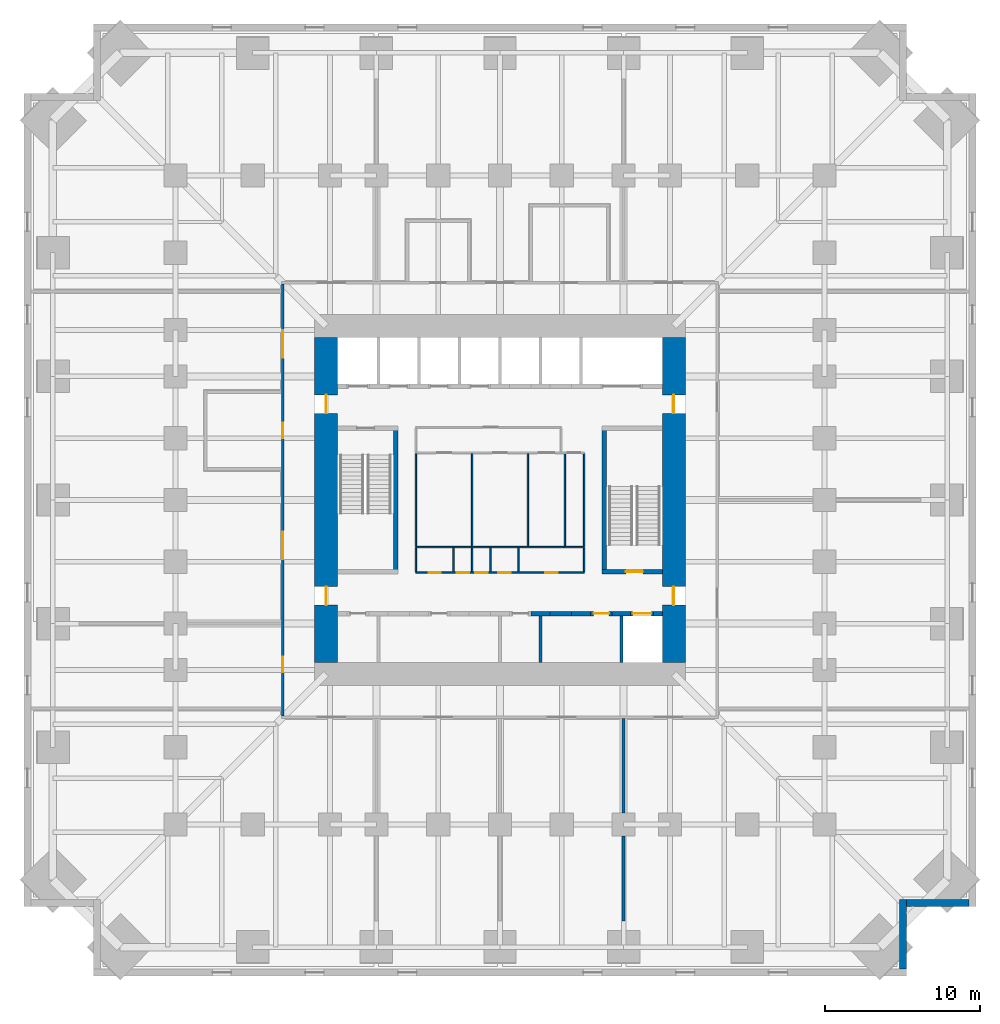
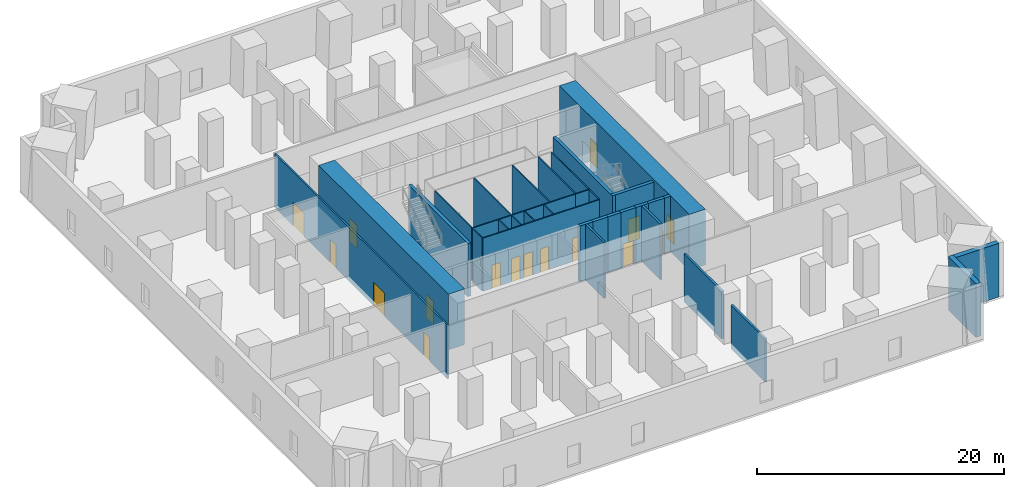
# One storey, part 4 of 8: 33 walls, 16 doors, 16 openings.
"""IFC4 building model written with IfcOpenShell, lengths in metres."""

from ifc_helpers import new_model, si_unit, direction, frame, frame_2d, origin, place, context, subcontext, project, spatial, rectangle, extrude, material, layer, layer_set, type_object, element, fill, save


model = new_model("IFC4")

# Units and contexts
model_context = context("Model", 3, precision=1e-05, world=origin(), true_north=direction((0.0, 1.0)))
body_context = subcontext(model_context, "Body", "Model", "MODEL_VIEW")
ifc_project = project(units=[si_unit("LENGTHUNIT", "METRE"), si_unit("AREAUNIT", "SQUARE_METRE"), si_unit("VOLUMEUNIT", "CUBIC_METRE"), si_unit("PLANEANGLEUNIT", "RADIAN"), si_unit("MASSUNIT", "GRAM", prefix="KILO")], contexts=[model_context])

# Site, building, storey
site_placement = place(None, origin())
site = spatial("IfcSite", under=ifc_project, at=site_placement, CompositionType="ELEMENT")
building_placement = place(site_placement, origin())
building = spatial("IfcBuilding", under=site, at=building_placement, Name="Peilmerk Tower", CompositionType="ELEMENT")
storey_placement = place(building_placement, frame((0.0, 0.0, 48.5)))
storey = spatial("IfcBuildingStorey", under=building, at=storey_placement, Name="L09", CompositionType="ELEMENT", Elevation=48.5)

# Walls
ifc_material_1 = material(Name="Precast concrete C45/55, board-marked finish", Category="concrete")
ifc_layer_1 = layer(ifc_material_1, 0.449951171875)
ifc_layer_set_1 = layer_set([ifc_layer_1], Name="Precast concrete C45/55, board-marked finish")
wall_type_1 = type_object("IfcWallType", Name="EW1 450 precast concrete facade wall, board-marked", PredefinedType="SOLIDWALL", material=ifc_layer_set_1)
wall_1_placement = place(storey_placement, frame((26.074951171875, -25.85009765625, 0.0), z_axis=(0.0, 0.0, 1.0), x_axis=(0.0, -1.0, 0.0)))
element("IfcWall", 1, at=wall_1_placement, inside=storey, type_object=wall_type_1, Name="Facade wall SEA L09", PredefinedType="SOLIDWALL", context=body_context, shape_type="SweptSolid", body=[
    extrude(rectangle(XDim=4.5, YDim=0.449951171875, at=frame_2d((2.25, 0.0))), origin(), (0.0, 0.0, 1.0), 5.300048828125),
])
wall_2_placement = place(storey_placement, frame((26.300048828125, -26.074951171875, 0.0), z_axis=(0.0, 0.0, 1.0), x_axis=(1.0, 0.0, 0.0)))
element("IfcWall", 2, at=wall_2_placement, inside=storey, type_object=wall_type_1, Name="Facade wall SEB L09", PredefinedType="SOLIDWALL", context=body_context, shape_type="SweptSolid", body=[
    extrude(rectangle(XDim=4.050048828125, YDim=0.449951171875, at=frame_2d((2.02490234375, 0.0))), origin(), (0.0, 0.0, 1.0), 5.300048828125),
])

# Wall, openings, doors
ifc_material_2 = material(Name="Calcium silicate block", Category="masonry")
ifc_layer_2 = layer(ifc_material_2, 0.14990234375)
ifc_layer_set_2 = layer_set([ifc_layer_2], Name="Calcium silicate block")
wall_type_2 = type_object("IfcWallType", Name="IW1 150 corridor partition, EI 60", PredefinedType="PARTITIONING", material=ifc_layer_set_2)
wall_3_placement = place(storey_placement, frame((-14.050048828125, 13.97509765625, 0.0), z_axis=(0.0, 0.0, 1.0), x_axis=(0.0, -1.0, 0.0)))
wall_3 = element("IfcWall", 3, at=wall_3_placement, inside=storey, type_object=wall_type_2, Name="Corridor wall W L09", PredefinedType="PARTITIONING", context=body_context, shape_type="SweptSolid", body=[
    extrude(rectangle(XDim=27.9501953125, YDim=0.14990234375, at=frame_2d((13.97509765625, 0.0))), origin(), (0.0, 0.0, 1.0), 5.300048828125),
])
opening_1_placement = place(wall_3_placement, frame((24.125, 0.0, 0.0)))
opening_1 = element("IfcOpeningElement", 4, at=opening_1_placement, cuts=wall_3, Name="Opening D1", PredefinedType="OPENING", context=body_context, shape_type="SweptSolid", body=[
    extrude(rectangle(XDim=1.0, YDim=2.300048828125, at=frame_2d((0.5, 1.14990234375))), frame((0.0, 0.0849609375, 0.0), z_axis=(0.0, -1.0, 0.0), x_axis=(1.0, 0.0, 0.0)), (0.0, 0.0, 1.0), 0.169921875),
])
opening_2_placement = place(wall_3_placement, frame((16.02490234375, 0.0, 0.0)))
opening_2 = element("IfcOpeningElement", 5, at=opening_2_placement, cuts=wall_3, Name="Opening D2", PredefinedType="OPENING", context=body_context, shape_type="SweptSolid", body=[
    extrude(rectangle(XDim=1.800048828125, YDim=2.300048828125, at=frame_2d((0.89990234375, 1.14990234375))), frame((0.0, 0.0849609375, 0.0), z_axis=(0.0, -1.0, 0.0), x_axis=(1.0, 0.0, 0.0)), (0.0, 0.0, 1.0), 0.169921875),
])
opening_3_placement = place(wall_3_placement, frame((2.97509765625, 0.0, 0.0)))
opening_3 = element("IfcOpeningElement", 6, at=opening_3_placement, cuts=wall_3, Name="Opening D2", PredefinedType="OPENING", context=body_context, shape_type="SweptSolid", body=[
    extrude(rectangle(XDim=1.800048828125, YDim=2.300048828125, at=frame_2d((0.89990234375, 1.14990234375))), frame((0.0, 0.0849609375, 0.0), z_axis=(0.0, -1.0, 0.0), x_axis=(1.0, 0.0, 0.0)), (0.0, 0.0, 1.0), 0.169921875),
])
opening_4_placement = place(wall_3_placement, frame((8.97509765625, 0.0, 0.0)))
opening_4 = element("IfcOpeningElement", 7, at=opening_4_placement, cuts=wall_3, Name="Opening D1", PredefinedType="OPENING", context=body_context, shape_type="SweptSolid", body=[
    extrude(rectangle(XDim=1.0, YDim=2.300048828125, at=frame_2d((0.5, 1.14990234375))), frame((0.0, 0.0849609375, 0.0), z_axis=(0.0, -1.0, 0.0), x_axis=(1.0, 0.0, 0.0)), (0.0, 0.0, 1.0), 0.169921875),
])
ifc_material_3 = material(Name="Timber door in steel frame", Category="steel")
door_type_1 = type_object("IfcDoorType", Name="D1 1000x2300 room door, EI2 30", OperationType="SINGLE_SWING_LEFT", PredefinedType="DOOR", material=ifc_material_3)
door_1_placement = place(opening_1_placement, frame((1.0, 0.0, 0.0), z_axis=(0.0, 0.0, 1.0), x_axis=(-1.0, 0.0, 0.0)))
door_1 = element("IfcDoor", 8, at=door_1_placement, inside=storey, type_object=door_type_1, Name="Door Splicing room L09", OperationType="SINGLE_SWING_LEFT", OverallHeight=2.300048828125, OverallWidth=1.0, PredefinedType="DOOR", context=body_context, shape_type="SweptSolid", body=[
    extrude(rectangle(XDim=1.0, YDim=2.300048828125, at=frame_2d((0.5, 1.14990234375))), frame((0.0, 0.02490234375, 0.0), z_axis=(0.0, -1.0, 0.0), x_axis=(1.0, 0.0, 0.0)), (0.0, 0.0, 1.0), 0.050048828125),
])
fill(opening_1, door_1)
door_2_placement = place(opening_4_placement, frame((1.0, 0.0, 0.0), z_axis=(0.0, 0.0, 1.0), x_axis=(-1.0, 0.0, 0.0)))
door_2 = element("IfcDoor", 9, at=door_2_placement, inside=storey, type_object=door_type_1, Name="Door Customer meeting room L09", OperationType="SINGLE_SWING_LEFT", OverallHeight=2.300048828125, OverallWidth=1.0, PredefinedType="DOOR", context=body_context, shape_type="SweptSolid", body=[
    extrude(rectangle(XDim=1.0, YDim=2.300048828125, at=frame_2d((0.5, 1.14990234375))), frame((0.0, 0.02490234375, 0.0), z_axis=(0.0, -1.0, 0.0), x_axis=(1.0, 0.0, 0.0)), (0.0, 0.0, 1.0), 0.050048828125),
])
fill(opening_4, door_2)
ifc_material_4 = material(Name="Steel door in steel frame", Category="steel")
door_type_2 = type_object("IfcDoorType", Name="D2 1800x2300 double door, EI2 60", OperationType="DOUBLE_DOOR_DOUBLE_SWING", PredefinedType="DOOR", material=ifc_material_4)
door_3_placement = place(opening_2_placement, frame((1.800048828125, 0.0, 0.0), z_axis=(0.0, 0.0, 1.0), x_axis=(-1.0, 0.0, 0.0)))
door_3 = element("IfcDoor", 10, at=door_3_placement, inside=storey, type_object=door_type_2, Name="Door Fibre distribution room L09", OperationType="DOUBLE_DOOR_DOUBLE_SWING", OverallHeight=2.300048828125, OverallWidth=1.800048828125, PredefinedType="DOOR", context=body_context, shape_type="SweptSolid", body=[
    extrude(rectangle(XDim=1.800048828125, YDim=2.300048828125, at=frame_2d((0.89990234375, 1.14990234375))), frame((0.0, 0.02490234375, 0.0), z_axis=(0.0, -1.0, 0.0), x_axis=(1.0, 0.0, 0.0)), (0.0, 0.0, 1.0), 0.050048828125),
])
fill(opening_2, door_3)
door_4_placement = place(opening_3_placement, frame((1.800048828125, 0.0, 0.0), z_axis=(0.0, 0.0, 1.0), x_axis=(-1.0, 0.0, 0.0)))
door_4 = element("IfcDoor", 11, at=door_4_placement, inside=storey, type_object=door_type_2, Name="Door Fibre distribution room L09", OperationType="DOUBLE_DOOR_DOUBLE_SWING", OverallHeight=2.300048828125, OverallWidth=1.800048828125, PredefinedType="DOOR", context=body_context, shape_type="SweptSolid", body=[
    extrude(rectangle(XDim=1.800048828125, YDim=2.300048828125, at=frame_2d((0.89990234375, 1.14990234375))), frame((0.0, 0.02490234375, 0.0), z_axis=(0.0, -1.0, 0.0), x_axis=(1.0, 0.0, 0.0)), (0.0, 0.0, 1.0), 0.050048828125),
])
fill(opening_3, door_4)

# Walls
ifc_layer_3 = layer(ifc_material_2, 0.199951171875)
ifc_layer_set_3 = layer_set([ifc_layer_3], Name="Calcium silicate block")
wall_type_3 = type_object("IfcWallType", Name="IW2 200 room separating wall, EI 120", PredefinedType="PARTITIONING", material=ifc_layer_set_3)
wall_4_placement = place(storey_placement, frame((8.0, -14.125, 0.0), z_axis=(0.0, 0.0, 1.0), x_axis=(0.0, -1.0, 0.0)))
element("IfcWall", 12, at=wall_4_placement, inside=storey, type_object=wall_type_3, Name="Room separating wall S3 L09", PredefinedType="PARTITIONING", context=body_context, shape_type="SweptSolid", body=[
    extrude(rectangle(XDim=6.125, YDim=0.199951171875, at=frame_2d((3.0625, 0.0))), origin(), (0.0, 0.0, 1.0), 4.73095703125),
])
wall_5_placement = place(storey_placement, frame((8.0, -21.75, 0.0), z_axis=(0.0, 0.0, 1.0), x_axis=(0.0, -1.0, 0.0)))
element("IfcWall", 13, at=wall_5_placement, inside=storey, type_object=wall_type_3, Name="Room separating wall S3b L09", PredefinedType="PARTITIONING", context=body_context, shape_type="SweptSolid", body=[
    extrude(rectangle(XDim=5.484375, YDim=0.199951171875, at=frame_2d((2.7421875, 0.0))), origin(), (0.0, 0.0, 1.0), 4.2919921875),
])
ifc_material_5 = material(Name="Concrete C35/45", Category="concrete")
ifc_layer_4 = layer(ifc_material_5, 0.300048828125)
ifc_layer_set_4 = layer_set([ifc_layer_4], Name="Concrete C35/45")
wall_type_4 = type_object("IfcWallType", Name="IW3 300 concrete stair enclosure wall, EI 120", PredefinedType="SOLIDWALL", material=ifc_layer_set_4)
for number, where, z_axis, x_axis, name in (
    (14, (-6.75, -4.800048828125, 0.0), (0.0, 0.0, 1.0), (0.0, 1.0, 0.0), "Stair 1 enclosure L09"),
    (15, (6.75, -4.800048828125, 0.0), (0.0, 0.0, 1.0), (0.0, 1.0, 0.0), "Stair 2 enclosure L09"),
):
    element("IfcWall", number, at=place(storey_placement, frame(where, z_axis=z_axis, x_axis=x_axis)), inside=storey, type_object=wall_type_4, Name=name, PredefinedType="SOLIDWALL", context=body_context, shape_type="SweptSolid", body=[
        extrude(rectangle(XDim=9.60009765625, YDim=0.300048828125, at=frame_2d((4.800048828125, 0.0))), origin(), (0.0, 0.0, 1.0), 5.25),
    ])

# Wall, opening, door
wall_6_placement = place(storey_placement, frame((10.5, -4.64990234375, 0.0), z_axis=(0.0, 0.0, 1.0), x_axis=(-1.0, 0.0, 0.0)))
wall_6 = element("IfcWall", 16, at=wall_6_placement, inside=storey, type_object=wall_type_4, Name="Stair 2 enclosure L09", PredefinedType="SOLIDWALL", context=body_context, shape_type="SweptSolid", body=[
    extrude(rectangle(XDim=3.89990234375, YDim=0.300048828125, at=frame_2d((1.949951171875, 0.0))), origin(), (0.0, 0.0, 1.0), 5.25),
])
opening_5_placement = place(wall_6_placement, frame((1.25, 0.0, 0.0)))
opening_5 = element("IfcOpeningElement", 17, at=opening_5_placement, cuts=wall_6, Name="Opening D4", PredefinedType="OPENING", context=body_context, shape_type="SweptSolid", body=[
    extrude(rectangle(XDim=1.10009765625, YDim=2.300048828125, at=frame_2d((0.550048828125, 1.14990234375))), frame((0.0, 0.159912109375, 0.0), z_axis=(0.0, -1.0, 0.0), x_axis=(1.0, 0.0, 0.0)), (0.0, 0.0, 1.0), 0.320068359375),
])
door_type_3 = type_object("IfcDoorType", Name="D4 1100x2300 stair door, EI2 60", OperationType="SINGLE_SWING_RIGHT", PredefinedType="DOOR", material=ifc_material_4)
door_5_placement = place(opening_5_placement, frame((1.10009765625, 0.0, 0.0), z_axis=(0.0, 0.0, 1.0), x_axis=(-1.0, 0.0, 0.0)))
door_5 = element("IfcDoor", 18, at=door_5_placement, inside=storey, type_object=door_type_3, Name="Stair 2 door L09", OperationType="SINGLE_SWING_RIGHT", OverallHeight=2.300048828125, OverallWidth=1.10009765625, PredefinedType="DOOR", context=body_context, shape_type="SweptSolid", body=[
    extrude(rectangle(XDim=1.10009765625, YDim=2.300048828125, at=frame_2d((0.550048828125, 1.14990234375))), frame((0.0, 0.02490234375, 0.0), z_axis=(0.0, -1.0, 0.0), x_axis=(1.0, 0.0, 0.0)), (0.0, 0.0, 1.0), 0.050048828125),
])
fill(opening_5, door_5)

# Walls
ifc_material_6 = material(Name="Plasterboard on steel studs", Category="steel")
ifc_layer_5 = layer(ifc_material_6, 0.10009765625)
ifc_layer_set_5 = layer_set([ifc_layer_5], Name="Plasterboard on steel studs")
wall_type_5 = type_object("IfcWallType", Name="IW4 100 WC partition", PredefinedType="PARTITIONING", material=ifc_layer_set_5)
wall_7_placement = place(storey_placement, frame((4.14990234375, -3.050048828125, 0.0), z_axis=(0.0, 0.0, 1.0), x_axis=(-1.0, 0.0, 0.0)))
element("IfcWall", 19, at=wall_7_placement, inside=storey, type_object=wall_type_5, Name="WC wall L09", PredefinedType="PARTITIONING", context=body_context, shape_type="SweptSolid", body=[
    extrude(rectangle(XDim=9.599853515625, YDim=0.10009765625, at=frame_2d((4.7998046875, 0.0))), origin(), (0.0, 0.0, 1.0), 5.25),
])
for number, where, z_axis, x_axis, name in (
    (20, (-5.449951171875, -3.0, 0.0), (0.0, 0.0, 1.0), (0.0, 1.0, 0.0), "WC wall L09"),
    (21, (-1.800048828125, -3.0, 0.0), (0.0, 0.0, 1.0), (0.0, 1.0, 0.0), "WC wall L09"),
    (22, (1.800048828125, -3.0, 0.0), (0.0, 0.0, 1.0), (0.0, 1.0, 0.0), "WC wall L09"),
):
    element("IfcWall", number, at=place(storey_placement, frame(where, z_axis=z_axis, x_axis=x_axis)), inside=storey, type_object=wall_type_5, Name=name, PredefinedType="PARTITIONING", context=body_context, shape_type="SweptSolid", body=[
        extrude(rectangle(XDim=6.0, YDim=0.10009765625, at=frame_2d((3.0, 0.0))), origin(), (0.0, 0.0, 1.0), 5.25),
    ])
ifc_material_7 = material(Name="Calcium silicate board on steel studs", Category="steel")
ifc_layer_6 = layer(ifc_material_7, 0.10009765625)
ifc_layer_set_6 = layer_set([ifc_layer_6], Name="Calcium silicate board on steel studs")
wall_type_6 = type_object("IfcWallType", Name="IW5 100 riser enclosure wall, EI 60", PredefinedType="PARTITIONING", material=ifc_layer_set_6)
wall_8_placement = place(storey_placement, frame((5.449951171875, -3.050048828125, 0.0), z_axis=(0.0, 0.0, 1.0), x_axis=(-1.0, 0.0, 0.0)))
element("IfcWall", 23, at=wall_8_placement, inside=storey, type_object=wall_type_6, Name="Riser wall L09", PredefinedType="PARTITIONING", context=body_context, shape_type="SweptSolid", body=[
    extrude(rectangle(XDim=1.300048828125, YDim=0.10009765625, at=frame_2d((0.64990234375, 0.0))), origin(), (0.0, 0.0, 1.0), 5.25),
])
for number, where, z_axis, x_axis, name in (
    (24, (5.449951171875, 3.0, 0.0), (0.0, 0.0, 1.0), (0.0, -1.0, 0.0), "Riser wall L09"),
    (25, (4.199951171875, -3.0, 0.0), (0.0, 0.0, 1.0), (0.0, 1.0, 0.0), "Riser wall L09"),
):
    element("IfcWall", number, at=place(storey_placement, frame(where, z_axis=z_axis, x_axis=x_axis)), inside=storey, type_object=wall_type_6, Name=name, PredefinedType="PARTITIONING", context=body_context, shape_type="SweptSolid", body=[
        extrude(rectangle(XDim=6.0, YDim=0.10009765625, at=frame_2d((3.0, 0.0))), origin(), (0.0, 0.0, 1.0), 5.25),
    ])

# Wall, openings, doors
wall_9_placement = place(storey_placement, frame((5.449951171875, -4.699951171875, 0.0), z_axis=(0.0, 0.0, 1.0), x_axis=(-1.0, 0.0, 0.0)))
wall_9 = element("IfcWall", 26, at=wall_9_placement, inside=storey, type_object=wall_type_6, Name="Riser wall L09", PredefinedType="PARTITIONING", context=body_context, shape_type="SweptSolid", body=[
    extrude(rectangle(XDim=10.89990234375, YDim=0.10009765625, at=frame_2d((5.449951171875, 0.0))), origin(), (0.0, 0.0, 1.0), 5.25),
])
opening_6_placement = place(wall_9_placement, frame((9.27490234375, 0.0, 0.0)))
opening_6 = element("IfcOpeningElement", 27, at=opening_6_placement, cuts=wall_9, Name="Opening D7", PredefinedType="OPENING", context=body_context, shape_type="SweptSolid", body=[
    extrude(rectangle(XDim=0.800048828125, YDim=2.300048828125, at=frame_2d((0.39990234375, 1.14990234375))), frame((0.0, 0.06005859375, 0.0), z_axis=(0.0, -1.0, 0.0), x_axis=(1.0, 0.0, 0.0)), (0.0, 0.0, 1.0), 0.1201171875),
])
opening_7_placement = place(wall_9_placement, frame((7.449951171875, 0.0, 0.0)))
opening_7 = element("IfcOpeningElement", 28, at=opening_7_placement, cuts=wall_9, Name="Opening D7", PredefinedType="OPENING", context=body_context, shape_type="SweptSolid", body=[
    extrude(rectangle(XDim=0.800048828125, YDim=2.300048828125, at=frame_2d((0.39990234375, 1.14990234375))), frame((0.0, 0.06005859375, 0.0), z_axis=(0.0, -1.0, 0.0), x_axis=(1.0, 0.0, 0.0)), (0.0, 0.0, 1.0), 0.1201171875),
])
opening_8_placement = place(wall_9_placement, frame((6.25, 0.0, 0.0)))
opening_8 = element("IfcOpeningElement", 29, at=opening_8_placement, cuts=wall_9, Name="Opening D7", PredefinedType="OPENING", context=body_context, shape_type="SweptSolid", body=[
    extrude(rectangle(XDim=0.800048828125, YDim=2.300048828125, at=frame_2d((0.39990234375, 1.14990234375))), frame((0.0, 0.06005859375, 0.0), z_axis=(0.0, -1.0, 0.0), x_axis=(1.0, 0.0, 0.0)), (0.0, 0.0, 1.0), 0.1201171875),
])
opening_9_placement = place(wall_9_placement, frame((4.75, 0.0, 0.0)))
opening_9 = element("IfcOpeningElement", 30, at=opening_9_placement, cuts=wall_9, Name="Opening D7", PredefinedType="OPENING", context=body_context, shape_type="SweptSolid", body=[
    extrude(rectangle(XDim=0.800048828125, YDim=2.300048828125, at=frame_2d((0.39990234375, 1.14990234375))), frame((0.0, 0.06005859375, 0.0), z_axis=(0.0, -1.0, 0.0), x_axis=(1.0, 0.0, 0.0)), (0.0, 0.0, 1.0), 0.1201171875),
])
opening_10_placement = place(wall_9_placement, frame((1.72509765625, 0.0, 0.0)))
opening_10 = element("IfcOpeningElement", 31, at=opening_10_placement, cuts=wall_9, Name="Opening D7", PredefinedType="OPENING", context=body_context, shape_type="SweptSolid", body=[
    extrude(rectangle(XDim=0.800048828125, YDim=2.300048828125, at=frame_2d((0.39990234375, 1.14990234375))), frame((0.0, 0.06005859375, 0.0), z_axis=(0.0, -1.0, 0.0), x_axis=(1.0, 0.0, 0.0)), (0.0, 0.0, 1.0), 0.1201171875),
])
door_type_4 = type_object("IfcDoorType", Name="D7 800x2300 riser access door, EI2 60", OperationType="SINGLE_SWING_RIGHT", PredefinedType="DOOR", material=ifc_material_4)
door_6_placement = place(opening_6_placement, frame((0.800048828125, 0.0, 0.0), z_axis=(0.0, 0.0, 1.0), x_axis=(-1.0, 0.0, 0.0)))
door_6 = element("IfcDoor", 32, at=door_6_placement, inside=storey, type_object=door_type_4, Name="Electrical room door L09", OperationType="SINGLE_SWING_RIGHT", OverallHeight=2.300048828125, OverallWidth=0.800048828125, PredefinedType="DOOR", context=body_context, shape_type="SweptSolid", body=[
    extrude(rectangle(XDim=0.800048828125, YDim=2.300048828125, at=frame_2d((0.39990234375, 1.14990234375))), frame((0.0, 0.02490234375, 0.0), z_axis=(0.0, -1.0, 0.0), x_axis=(1.0, 0.0, 0.0)), (0.0, 0.0, 1.0), 0.050048828125),
])
fill(opening_6, door_6)
door_7_placement = place(opening_7_placement, frame((0.800048828125, 0.0, 0.0), z_axis=(0.0, 0.0, 1.0), x_axis=(-1.0, 0.0, 0.0)))
door_7 = element("IfcDoor", 33, at=door_7_placement, inside=storey, type_object=door_type_4, Name="Electrical riser door L09", OperationType="SINGLE_SWING_RIGHT", OverallHeight=2.300048828125, OverallWidth=0.800048828125, PredefinedType="DOOR", context=body_context, shape_type="SweptSolid", body=[
    extrude(rectangle(XDim=0.800048828125, YDim=2.300048828125, at=frame_2d((0.39990234375, 1.14990234375))), frame((0.0, 0.02490234375, 0.0), z_axis=(0.0, -1.0, 0.0), x_axis=(1.0, 0.0, 0.0)), (0.0, 0.0, 1.0), 0.050048828125),
])
fill(opening_7, door_7)
door_8_placement = place(opening_8_placement, frame((0.800048828125, 0.0, 0.0), z_axis=(0.0, 0.0, 1.0), x_axis=(-1.0, 0.0, 0.0)))
door_8 = element("IfcDoor", 34, at=door_8_placement, inside=storey, type_object=door_type_4, Name="Data riser door L09", OperationType="SINGLE_SWING_RIGHT", OverallHeight=2.300048828125, OverallWidth=0.800048828125, PredefinedType="DOOR", context=body_context, shape_type="SweptSolid", body=[
    extrude(rectangle(XDim=0.800048828125, YDim=2.300048828125, at=frame_2d((0.39990234375, 1.14990234375))), frame((0.0, 0.02490234375, 0.0), z_axis=(0.0, -1.0, 0.0), x_axis=(1.0, 0.0, 0.0)), (0.0, 0.0, 1.0), 0.050048828125),
])
fill(opening_8, door_8)
door_9_placement = place(opening_9_placement, frame((0.800048828125, 0.0, 0.0), z_axis=(0.0, 0.0, 1.0), x_axis=(-1.0, 0.0, 0.0)))
door_9 = element("IfcDoor", 35, at=door_9_placement, inside=storey, type_object=door_type_4, Name="Cleaner's cupboard door L09", OperationType="SINGLE_SWING_RIGHT", OverallHeight=2.300048828125, OverallWidth=0.800048828125, PredefinedType="DOOR", context=body_context, shape_type="SweptSolid", body=[
    extrude(rectangle(XDim=0.800048828125, YDim=2.300048828125, at=frame_2d((0.39990234375, 1.14990234375))), frame((0.0, 0.02490234375, 0.0), z_axis=(0.0, -1.0, 0.0), x_axis=(1.0, 0.0, 0.0)), (0.0, 0.0, 1.0), 0.050048828125),
])
fill(opening_9, door_9)
door_10_placement = place(opening_10_placement, frame((0.800048828125, 0.0, 0.0), z_axis=(0.0, 0.0, 1.0), x_axis=(-1.0, 0.0, 0.0)))
door_10 = element("IfcDoor", 36, at=door_10_placement, inside=storey, type_object=door_type_4, Name="Comms room door L09", OperationType="SINGLE_SWING_RIGHT", OverallHeight=2.300048828125, OverallWidth=0.800048828125, PredefinedType="DOOR", context=body_context, shape_type="SweptSolid", body=[
    extrude(rectangle(XDim=0.800048828125, YDim=2.300048828125, at=frame_2d((0.39990234375, 1.14990234375))), frame((0.0, 0.02490234375, 0.0), z_axis=(0.0, -1.0, 0.0), x_axis=(1.0, 0.0, 0.0)), (0.0, 0.0, 1.0), 0.050048828125),
])
fill(opening_10, door_10)

# Walls
for number, where, z_axis, x_axis, name in (
    (37, (-5.449951171875, -3.10009765625, 0.0), (0.0, 0.0, 1.0), (0.0, -1.0, 0.0), "Riser wall L09"),
    (38, (5.449951171875, -3.10009765625, 0.0), (0.0, 0.0, 1.0), (0.0, -1.0, 0.0), "Riser wall L09"),
    (39, (-3.0, -3.10009765625, 0.0), (0.0, 0.0, 1.0), (0.0, -1.0, 0.0), "Riser wall L09"),
    (40, (-1.800048828125, -3.10009765625, 0.0), (0.0, 0.0, 1.0), (0.0, -1.0, 0.0), "Riser wall L09"),
    (41, (-0.60009765625, -3.10009765625, 0.0), (0.0, 0.0, 1.0), (0.0, -1.0, 0.0), "Riser wall L09"),
    (42, (1.199951171875, -3.10009765625, 0.0), (0.0, 0.0, 1.0), (0.0, -1.0, 0.0), "Riser wall L09"),
):
    element("IfcWall", number, at=place(storey_placement, frame(where, z_axis=z_axis, x_axis=x_axis)), inside=storey, type_object=wall_type_6, Name=name, PredefinedType="PARTITIONING", context=body_context, shape_type="SweptSolid", body=[
        extrude(rectangle(XDim=1.5498046875, YDim=0.10009765625, at=frame_2d((0.77490234375, 0.0))), origin(), (0.0, 0.0, 1.0), 5.25),
    ])
ifc_layer_7 = layer(ifc_material_2, 0.199951171875)
ifc_layer_set_7 = layer_set([ifc_layer_7], Name="Calcium silicate block")
wall_type_7 = type_object("IfcWallType", Name="SH1 200 shaft dividing wall, EI 120", PredefinedType="PARTITIONING", material=ifc_layer_set_7)
for number, where, z_axis, x_axis, name in (
    (43, (2.625, -10.5, 0.0), (0.0, 0.0, 1.0), (0.0, 1.0, 0.0), "Shaft wall S B3 L09"),
    (44, (7.875, -10.5, 0.0), (0.0, 0.0, 1.0), (0.0, 1.0, 0.0), "Shaft wall S B1 L09"),
):
    element("IfcWall", number, at=place(storey_placement, frame(where, z_axis=z_axis, x_axis=x_axis)), inside=storey, type_object=wall_type_7, Name=name, PredefinedType="PARTITIONING", context=body_context, shape_type="SweptSolid", body=[
        extrude(rectangle(XDim=3.0, YDim=0.199951171875, at=frame_2d((1.5, 0.0))), origin(), (0.0, 0.0, 1.0), 5.5),
    ])
ifc_layer_8 = layer(ifc_material_2, 0.300048828125)
ifc_layer_set_8 = layer_set([ifc_layer_8], Name="Calcium silicate block")
wall_type_8 = type_object("IfcWallType", Name="SH2 300 lift landing door panel, EI 120", PredefinedType="PARTITIONING", material=ifc_layer_set_8)
wall_10_placement = place(storey_placement, frame((3.237548828125, -7.35009765625, 0.0), z_axis=(0.0, 0.0, 1.0), x_axis=(1.0, 0.0, 0.0)))
element("IfcWall", 45, at=wall_10_placement, inside=storey, type_object=wall_type_8, Name="Lift door panel S B2 L09", PredefinedType="PARTITIONING", context=body_context, shape_type="SweptSolid", body=[
    extrude(rectangle(XDim=1.39990234375, YDim=0.300048828125, at=frame_2d((0.699951171875, 0.0))), origin(), (0.0, 0.0, 1.0), 5.5),
])

# Wall, opening, door
wall_11_placement = place(storey_placement, frame((5.862548828125, -7.35009765625, 0.0), z_axis=(0.0, 0.0, 1.0), x_axis=(1.0, 0.0, 0.0)))
wall_11 = element("IfcWall", 46, at=wall_11_placement, inside=storey, type_object=wall_type_8, Name="Lift door panel S B1 L09", PredefinedType="PARTITIONING", context=body_context, shape_type="SweptSolid", body=[
    extrude(rectangle(XDim=1.39990234375, YDim=0.300048828125, at=frame_2d((0.699951171875, 0.0))), origin(), (0.0, 0.0, 1.0), 5.5),
])
opening_11_placement = place(wall_11_placement, frame((0.199951171875, 0.0, 0.0)))
opening_11 = element("IfcOpeningElement", 47, at=opening_11_placement, cuts=wall_11, Name="Opening D10", PredefinedType="OPENING", context=body_context, shape_type="SweptSolid", body=[
    extrude(rectangle(XDim=1.0, YDim=2.300048828125, at=frame_2d((0.5, 1.14990234375))), frame((0.0, 0.159912109375, 0.0), z_axis=(0.0, -1.0, 0.0), x_axis=(1.0, 0.0, 0.0)), (0.0, 0.0, 1.0), 0.320068359375),
])
door_type_5 = type_object("IfcDoorType", Name="D10 1000x2300 core room door, EI2 60", OperationType="SINGLE_SWING_RIGHT", PredefinedType="DOOR", material=ifc_material_4)
door_11_placement = place(opening_11_placement, frame((1.0, 0.0, 0.0), z_axis=(0.0, 0.0, 1.0), x_axis=(-1.0, 0.0, 0.0)))
door_11 = element("IfcDoor", 48, at=door_11_placement, inside=storey, type_object=door_type_5, Name="Door Waste room L09", OperationType="SINGLE_SWING_RIGHT", OverallHeight=2.300048828125, OverallWidth=1.0, PredefinedType="DOOR", context=body_context, shape_type="SweptSolid", body=[
    extrude(rectangle(XDim=1.0, YDim=2.300048828125, at=frame_2d((0.5, 1.14990234375))), frame((0.0, 0.02490234375, 0.0), z_axis=(0.0, -1.0, 0.0), x_axis=(1.0, 0.0, 0.0)), (0.0, 0.0, 1.0), 0.050048828125),
])
fill(opening_11, door_11)

wall_12_placement = place(storey_placement, frame((8.4375, -7.35009765625, 0.0), z_axis=(0.0, 0.0, 1.0), x_axis=(1.0, 0.0, 0.0)))
wall_12 = element("IfcWall", 49, at=wall_12_placement, inside=storey, type_object=wall_type_8, Name="Lift door panel S FL2 L09", PredefinedType="PARTITIONING", context=body_context, shape_type="SweptSolid", body=[
    extrude(rectangle(XDim=1.5, YDim=0.300048828125, at=frame_2d((0.75, 0.0))), origin(), (0.0, 0.0, 1.0), 5.5),
])
opening_12_placement = place(wall_12_placement, frame((0.14990234375, 0.0, 0.0)))
opening_12 = element("IfcOpeningElement", 50, at=opening_12_placement, cuts=wall_12, Name="Opening LD2", PredefinedType="OPENING", context=body_context, shape_type="SweptSolid", body=[
    extrude(rectangle(XDim=1.199951171875, YDim=2.300048828125, at=frame_2d((0.60009765625, 1.14990234375))), frame((0.0, 0.159912109375, 0.0), z_axis=(0.0, -1.0, 0.0), x_axis=(1.0, 0.0, 0.0)), (0.0, 0.0, 1.0), 0.320068359375),
])
ifc_material_8 = material(Name="Stainless steel landing door", Category="steel")
door_type_6 = type_object("IfcDoorType", Name="LD2 1200x2300 lift landing door, sliding, EI2 60", OperationType="SLIDING_TO_LEFT", PredefinedType="DOOR", material=ifc_material_8)
door_12_placement = place(opening_12_placement, origin())
door_12 = element("IfcDoor", 51, at=door_12_placement, inside=storey, type_object=door_type_6, Name="Lift landing door FL2 L09", OperationType="SLIDING_TO_LEFT", OverallHeight=2.300048828125, OverallWidth=1.199951171875, PredefinedType="DOOR", context=body_context, shape_type="SweptSolid", body=[
    extrude(rectangle(XDim=1.199951171875, YDim=2.300048828125, at=frame_2d((0.60009765625, 1.14990234375))), frame((0.0, 0.02490234375, 0.0), z_axis=(0.0, -1.0, 0.0), x_axis=(1.0, 0.0, 0.0)), (0.0, 0.0, 1.0), 0.050048828125),
])
fill(opening_12, door_12)

# Wall, openings, doors
ifc_material_9 = material(Name="Concrete C55/67", Category="concrete")
ifc_layer_9 = layer(ifc_material_9, 1.5)
ifc_layer_set_9 = layer_set([ifc_layer_9], Name="Concrete C55/67")
wall_type_9 = type_object("IfcWallType", Name="SW1 1500 core wall", PredefinedType="SHEAR", material=ifc_layer_set_9)
wall_13_placement = place(storey_placement, frame((11.25, 10.5, 0.0), z_axis=(0.0, 0.0, 1.0), x_axis=(0.0, -1.0, 0.0)))
wall_13 = element("IfcWall", 52, at=wall_13_placement, inside=storey, type_object=wall_type_9, Name="Core wall E L09", PredefinedType="SHEAR", context=body_context, shape_type="SweptSolid", body=[
    extrude(rectangle(XDim=21.0, YDim=1.5, at=frame_2d((10.5, 0.0))), origin(), (0.0, 0.0, 1.0), 5.5),
])
opening_13_placement = place(wall_13_placement, frame((3.699951171875, 0.0, 0.0)))
opening_13 = element("IfcOpeningElement", 53, at=opening_13_placement, cuts=wall_13, Name="Opening D3", PredefinedType="OPENING", context=body_context, shape_type="SweptSolid", body=[
    extrude(rectangle(XDim=1.199951171875, YDim=2.300048828125, at=frame_2d((0.60009765625, 1.14990234375))), frame((0.0, 0.760009765625, 0.0), z_axis=(0.0, -1.0, 0.0), x_axis=(1.0, 0.0, 0.0)), (0.0, 0.0, 1.0), 1.52001953125),
])
opening_14_placement = place(wall_13_placement, frame((16.10009765625, 0.0, 0.0)))
opening_14 = element("IfcOpeningElement", 54, at=opening_14_placement, cuts=wall_13, Name="Opening D3", PredefinedType="OPENING", context=body_context, shape_type="SweptSolid", body=[
    extrude(rectangle(XDim=1.199951171875, YDim=2.300048828125, at=frame_2d((0.60009765625, 1.14990234375))), frame((0.0, 0.760009765625, 0.0), z_axis=(0.0, -1.0, 0.0), x_axis=(1.0, 0.0, 0.0)), (0.0, 0.0, 1.0), 1.52001953125),
])
door_type_7 = type_object("IfcDoorType", Name="D3 1200x2300 core door, EI2 60", OperationType="SINGLE_SWING_LEFT", PredefinedType="DOOR", material=ifc_material_4)
door_13_placement = place(opening_13_placement, frame((1.199951171875, 0.0, 0.0), z_axis=(0.0, 0.0, 1.0), x_axis=(-1.0, 0.0, 0.0)))
door_13 = element("IfcDoor", 55, at=door_13_placement, inside=storey, type_object=door_type_7, Name="Core door L09", OperationType="SINGLE_SWING_LEFT", OverallHeight=2.300048828125, OverallWidth=1.199951171875, PredefinedType="DOOR", context=body_context, shape_type="SweptSolid", body=[
    extrude(rectangle(XDim=1.199951171875, YDim=2.300048828125, at=frame_2d((0.60009765625, 1.14990234375))), frame((0.0, 0.02490234375, 0.0), z_axis=(0.0, -1.0, 0.0), x_axis=(1.0, 0.0, 0.0)), (0.0, 0.0, 1.0), 0.050048828125),
])
fill(opening_13, door_13)
door_14_placement = place(opening_14_placement, frame((1.199951171875, 0.0, 0.0), z_axis=(0.0, 0.0, 1.0), x_axis=(-1.0, 0.0, 0.0)))
door_14 = element("IfcDoor", 56, at=door_14_placement, inside=storey, type_object=door_type_7, Name="Core door L09", OperationType="SINGLE_SWING_LEFT", OverallHeight=2.300048828125, OverallWidth=1.199951171875, PredefinedType="DOOR", context=body_context, shape_type="SweptSolid", body=[
    extrude(rectangle(XDim=1.199951171875, YDim=2.300048828125, at=frame_2d((0.60009765625, 1.14990234375))), frame((0.0, 0.02490234375, 0.0), z_axis=(0.0, -1.0, 0.0), x_axis=(1.0, 0.0, 0.0)), (0.0, 0.0, 1.0), 0.050048828125),
])
fill(opening_14, door_14)

wall_14_placement = place(storey_placement, frame((-11.25, -10.5, 0.0), z_axis=(0.0, 0.0, 1.0), x_axis=(0.0, 1.0, 0.0)))
wall_14 = element("IfcWall", 57, at=wall_14_placement, inside=storey, type_object=wall_type_9, Name="Core wall W L09", PredefinedType="SHEAR", context=body_context, shape_type="SweptSolid", body=[
    extrude(rectangle(XDim=21.0, YDim=1.5, at=frame_2d((10.5, 0.0))), origin(), (0.0, 0.0, 1.0), 5.5),
])
opening_15_placement = place(wall_14_placement, frame((16.10009765625, 0.0, 0.0)))
opening_15 = element("IfcOpeningElement", 58, at=opening_15_placement, cuts=wall_14, Name="Opening D3", PredefinedType="OPENING", context=body_context, shape_type="SweptSolid", body=[
    extrude(rectangle(XDim=1.199951171875, YDim=2.300048828125, at=frame_2d((0.60009765625, 1.14990234375))), frame((0.0, 0.760009765625, 0.0), z_axis=(0.0, -1.0, 0.0), x_axis=(1.0, 0.0, 0.0)), (0.0, 0.0, 1.0), 1.52001953125),
])
opening_16_placement = place(wall_14_placement, frame((3.699951171875, 0.0, 0.0)))
opening_16 = element("IfcOpeningElement", 59, at=opening_16_placement, cuts=wall_14, Name="Opening D3", PredefinedType="OPENING", context=body_context, shape_type="SweptSolid", body=[
    extrude(rectangle(XDim=1.199951171875, YDim=2.300048828125, at=frame_2d((0.60009765625, 1.14990234375))), frame((0.0, 0.760009765625, 0.0), z_axis=(0.0, -1.0, 0.0), x_axis=(1.0, 0.0, 0.0)), (0.0, 0.0, 1.0), 1.52001953125),
])
door_15_placement = place(opening_15_placement, frame((1.199951171875, 0.0, 0.0), z_axis=(0.0, 0.0, 1.0), x_axis=(-1.0, 0.0, 0.0)))
door_15 = element("IfcDoor", 60, at=door_15_placement, inside=storey, type_object=door_type_7, Name="Core door L09", OperationType="SINGLE_SWING_LEFT", OverallHeight=2.300048828125, OverallWidth=1.199951171875, PredefinedType="DOOR", context=body_context, shape_type="SweptSolid", body=[
    extrude(rectangle(XDim=1.199951171875, YDim=2.300048828125, at=frame_2d((0.60009765625, 1.14990234375))), frame((0.0, 0.02490234375, 0.0), z_axis=(0.0, -1.0, 0.0), x_axis=(1.0, 0.0, 0.0)), (0.0, 0.0, 1.0), 0.050048828125),
])
fill(opening_15, door_15)
door_16_placement = place(opening_16_placement, frame((1.199951171875, 0.0, 0.0), z_axis=(0.0, 0.0, 1.0), x_axis=(-1.0, 0.0, 0.0)))
door_16 = element("IfcDoor", 61, at=door_16_placement, inside=storey, type_object=door_type_7, Name="Core door L09", OperationType="SINGLE_SWING_LEFT", OverallHeight=2.300048828125, OverallWidth=1.199951171875, PredefinedType="DOOR", context=body_context, shape_type="SweptSolid", body=[
    extrude(rectangle(XDim=1.199951171875, YDim=2.300048828125, at=frame_2d((0.60009765625, 1.14990234375))), frame((0.0, 0.02490234375, 0.0), z_axis=(0.0, -1.0, 0.0), x_axis=(1.0, 0.0, 0.0)), (0.0, 0.0, 1.0), 0.050048828125),
])
fill(opening_16, door_16)

# Walls
ifc_layer_10 = layer(ifc_material_9, 0.300048828125)
ifc_layer_set_10 = layer_set([ifc_layer_10], Name="Concrete C55/67")
wall_type_10 = type_object("IfcWallType", Name="SW2 300 lift bank pier", PredefinedType="SHEAR", material=ifc_layer_set_10)
for number, where, z_axis, x_axis, name in (
    (62, (2.012451171875, -7.35009765625, 0.0), (0.0, 0.0, 1.0), (1.0, 0.0, 0.0), "Lift bank pier S L09"),
    (63, (4.637451171875, -7.35009765625, 0.0), (0.0, 0.0, 1.0), (1.0, 0.0, 0.0), "Lift bank pier S L09"),
):
    element("IfcWall", number, at=place(storey_placement, frame(where, z_axis=z_axis, x_axis=x_axis)), inside=storey, type_object=wall_type_10, Name=name, PredefinedType="SHEAR", context=body_context, shape_type="SweptSolid", body=[
        extrude(rectangle(XDim=1.22509765625, YDim=0.300048828125, at=frame_2d((0.612548828125, 0.0))), origin(), (0.0, 0.0, 1.0), 5.5),
    ])
wall_15_placement = place(storey_placement, frame((7.262451171875, -7.35009765625, 0.0), z_axis=(0.0, 0.0, 1.0), x_axis=(1.0, 0.0, 0.0)))
element("IfcWall", 64, at=wall_15_placement, inside=storey, type_object=wall_type_10, Name="Lift bank pier S L09", PredefinedType="SHEAR", context=body_context, shape_type="SweptSolid", body=[
    extrude(rectangle(XDim=1.175048828125, YDim=0.300048828125, at=frame_2d((0.58740234375, 0.0))), origin(), (0.0, 0.0, 1.0), 5.5),
])
wall_16_placement = place(storey_placement, frame((9.9375, -7.35009765625, 0.0), z_axis=(0.0, 0.0, 1.0), x_axis=(1.0, 0.0, 0.0)))
element("IfcWall", 65, at=wall_16_placement, inside=storey, type_object=wall_type_10, Name="Lift bank pier S L09", PredefinedType="SHEAR", context=body_context, shape_type="SweptSolid", body=[
    extrude(rectangle(XDim=0.5625, YDim=0.300048828125, at=frame_2d((0.28125, 0.0))), origin(), (0.0, 0.0, 1.0), 5.5),
])

save(model, "model.ifc")
